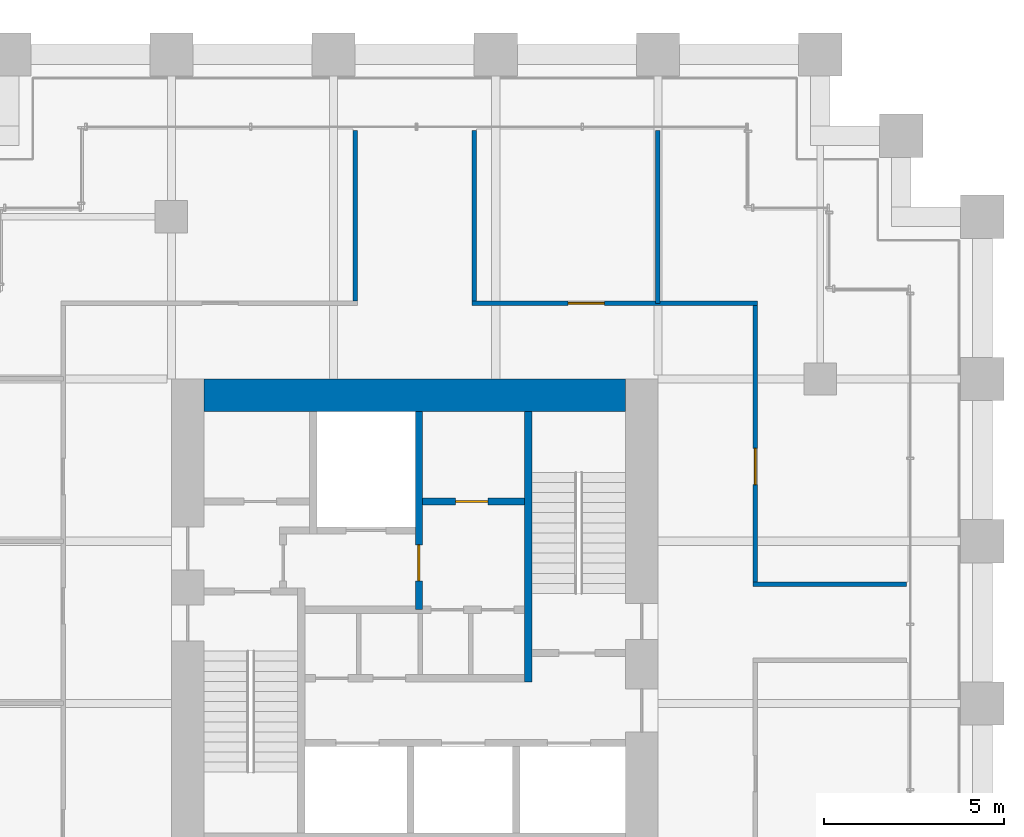
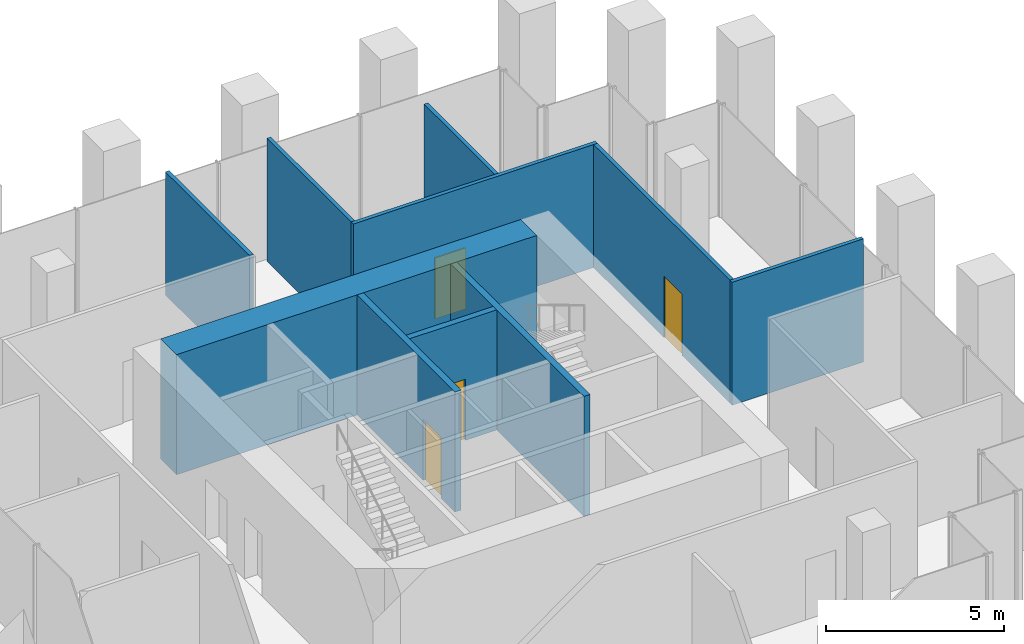
# One storey, part 33 of 36: 10 walls, 4 doors, 4 openings.
"""IFC4 building model written with IfcOpenShell, lengths in metres."""

from ifc_helpers import new_model, si_unit, direction, frame, frame_2d, origin, place, context, subcontext, project, spatial, rectangle, extrude, material, layer, layer_set, type_object, element, fill, save


model = new_model("IFC4")

# Units and contexts
model_context = context("Model", 3, precision=1e-05, world=origin(), true_north=direction((0.0, 1.0)))
body_context = subcontext(model_context, "Body", "Model", "MODEL_VIEW")
ifc_project = project(units=[si_unit("LENGTHUNIT", "METRE"), si_unit("AREAUNIT", "SQUARE_METRE"), si_unit("VOLUMEUNIT", "CUBIC_METRE"), si_unit("PLANEANGLEUNIT", "RADIAN"), si_unit("MASSUNIT", "GRAM", prefix="KILO")], contexts=[model_context])

# Site, building, storey
site_placement = place(None, origin())
site = spatial("IfcSite", under=ifc_project, at=site_placement, CompositionType="ELEMENT")
building_placement = place(site_placement, origin())
building = spatial("IfcBuilding", under=site, at=building_placement, Name="Altepetl Exchange Towers", CompositionType="ELEMENT")
storey_placement = place(building_placement, frame((0.0, 0.0, 34.199951171875)))
storey = spatial("IfcBuildingStorey", under=building, at=storey_placement, Name="L07", CompositionType="ELEMENT", Elevation=34.199951171875)

# Walls
ifc_material_1 = material(Name="Concrete C70/85", Category="concrete")
ifc_layer_1 = layer(ifc_material_1, 0.89990234375)
ifc_layer_set_1 = layer_set([ifc_layer_1], Name="Concrete C70/85")
wall_type_1 = type_object("IfcWallType", Name="Core wall 900 reinforced concrete", PredefinedType="SHEAR", material=ifc_layer_set_1)
wall_1_placement = place(storey_placement, frame((104.39990234375, 49.050048828125, 0.0)))
element("IfcWall", 1, at=wall_1_placement, inside=storey, type_object=wall_type_1, Name="wall:B:L07:K-coreN", PredefinedType="SHEAR", context=body_context, shape_type="SweptSolid", body=[
    extrude(rectangle(XDim=11.7001953125, YDim=0.89990234375, at=frame_2d((5.85009765625, 0.0))), origin(), (0.0, 0.0, 1.0), 4.125),
])
ifc_material_2 = material(Name="Gypsum board on steel studs", Category="steel")
ifc_layer_2 = layer(ifc_material_2, 0.125)
ifc_layer_set_2 = layer_set([ifc_layer_2], Name="Gypsum board on steel studs")
wall_type_2 = type_object("IfcWallType", Name="Partition 125 gypsum board on steel studs", PredefinedType="PARTITIONING", material=ifc_layer_set_2)
wall_2_placement = place(storey_placement, frame((119.637451171875, 43.800048828125, 0.0)))
element("IfcWall", 2, at=wall_2_placement, inside=storey, type_object=wall_type_2, Name="wall:B:L07:P05", PredefinedType="PARTITIONING", context=body_context, shape_type="SweptSolid", body=[
    extrude(rectangle(XDim=4.262451171875, YDim=0.125, at=frame_2d((2.13134765625, 0.0))), origin(), (0.0, 0.0, 1.0), 4.22509765625),
])

# Wall, opening, door
wall_3_placement = place(storey_placement, frame((111.83740234375, 51.60009765625, 0.0)))
wall_3 = element("IfcWall", 3, at=wall_3_placement, inside=storey, type_object=wall_type_2, Name="wall:B:L07:P09", PredefinedType="PARTITIONING", context=body_context, shape_type="SweptSolid", body=[
    extrude(rectangle(XDim=7.925048828125, YDim=0.125, at=frame_2d((3.96240234375, 0.0))), origin(), (0.0, 0.0, 1.0), 4.22509765625),
])
opening_1_placement = place(wall_3_placement, frame((2.672607421875, 0.0, 0.0)))
opening_1 = element("IfcOpeningElement", 4, at=opening_1_placement, cuts=wall_3, Name="Opening L07.B06", PredefinedType="OPENING", context=body_context, shape_type="SweptSolid", body=[
    extrude(rectangle(XDim=1.0, YDim=2.10009765625, at=frame_2d((0.5, 1.050048828125))), frame((0.0, 0.072509765625, 0.0), z_axis=(0.0, -1.0, 0.0), x_axis=(1.0, 0.0, 0.0)), (0.0, 0.0, 1.0), 0.14501953125),
])
ifc_material_3 = material(Name="Steel and timber fire door", Category="steel")
door_type_1 = type_object("IfcDoorType", Name="Fire door 1000 x 2100 single leaf", OperationType="SINGLE_SWING_LEFT", PredefinedType="DOOR", material=ifc_material_3)
door_1_placement = place(opening_1_placement, origin())
door_1 = element("IfcDoor", 5, at=door_1_placement, inside=storey, type_object=door_type_1, Name="door:B:L07:06", OperationType="SINGLE_SWING_LEFT", OverallHeight=2.10009765625, OverallWidth=1.0, PredefinedType="DOOR", context=body_context, shape_type="SweptSolid", body=[
    extrude(rectangle(XDim=1.0, YDim=2.10009765625, at=frame_2d((0.5, 1.050048828125))), frame((0.0, 0.02490234375, 0.0), z_axis=(0.0, -1.0, 0.0), x_axis=(1.0, 0.0, 0.0)), (0.0, 0.0, 1.0), 0.050048828125),
])
fill(opening_1, door_1)

# Walls
for number, where, z_axis, x_axis, name in (
    (6, (108.60009765625, 51.66259765625, 0.0), (0.0, 0.0, 1.0), (0.0, 1.0, 0.0), "wall:B:L07:P12"),
    (7, (111.89990234375, 51.66259765625, 0.0), (0.0, 0.0, 1.0), (0.0, 1.0, 0.0), "wall:B:L07:P13"),
):
    element("IfcWall", number, at=place(storey_placement, frame(where, z_axis=z_axis, x_axis=x_axis)), inside=storey, type_object=wall_type_2, Name=name, PredefinedType="PARTITIONING", context=body_context, shape_type="SweptSolid", body=[
        extrude(rectangle(XDim=4.7373046875, YDim=0.125, at=frame_2d((2.36865234375, 0.0))), origin(), (0.0, 0.0, 1.0), 4.22509765625),
    ])
wall_4_placement = place(storey_placement, frame((117.0, 51.60009765625, 0.0), z_axis=(0.0, 0.0, 1.0), x_axis=(0.0, 1.0, 0.0)))
element("IfcWall", 8, at=wall_4_placement, inside=storey, type_object=wall_type_2, Name="wall:B:L07:P15", PredefinedType="PARTITIONING", context=body_context, shape_type="SweptSolid", body=[
    extrude(rectangle(XDim=4.7998046875, YDim=0.125, at=frame_2d((2.39990234375, 0.0))), origin(), (0.0, 0.0, 1.0), 3.613037109375),
])

# Wall, opening, door
wall_5_placement = place(storey_placement, frame((119.699951171875, 43.862548828125, 0.0), z_axis=(0.0, 0.0, 1.0), x_axis=(0.0, 1.0, 0.0)))
wall_5 = element("IfcWall", 9, at=wall_5_placement, inside=storey, type_object=wall_type_2, Name="wall:B:L07:P17", PredefinedType="PARTITIONING", context=body_context, shape_type="SweptSolid", body=[
    extrude(rectangle(XDim=7.675048828125, YDim=0.125, at=frame_2d((3.83740234375, 0.0))), origin(), (0.0, 0.0, 1.0), 4.22509765625),
])
opening_2_placement = place(wall_5_placement, frame((2.70947265625, 0.0, 0.0)))
opening_2 = element("IfcOpeningElement", 10, at=opening_2_placement, cuts=wall_5, Name="Opening L07.B05", PredefinedType="OPENING", context=body_context, shape_type="SweptSolid", body=[
    extrude(rectangle(XDim=1.0, YDim=2.10009765625, at=frame_2d((0.5, 1.050048828125))), frame((0.0, 0.072509765625, 0.0), z_axis=(0.0, -1.0, 0.0), x_axis=(1.0, 0.0, 0.0)), (0.0, 0.0, 1.0), 0.14501953125),
])
door_2_placement = place(opening_2_placement, frame((1.0, 0.0, 0.0), x_axis=(-1.0, 0.0, 0.0)))
door_2 = element("IfcDoor", 11, at=door_2_placement, inside=storey, type_object=door_type_1, Name="door:B:L07:05", OperationType="SINGLE_SWING_LEFT", OverallHeight=2.10009765625, OverallWidth=1.0, PredefinedType="DOOR", context=body_context, shape_type="SweptSolid", body=[
    extrude(rectangle(XDim=1.0, YDim=2.10009765625, at=frame_2d((0.5, 1.050048828125))), frame((0.0, 0.02490234375, 0.0), z_axis=(0.0, -1.0, 0.0), x_axis=(1.0, 0.0, 0.0)), (0.0, 0.0, 1.0), 0.050048828125),
])
fill(opening_2, door_2)

ifc_material_4 = material(Name="Concrete C40/50", Category="concrete")
ifc_layer_3 = layer(ifc_material_4, 0.199951171875)
ifc_layer_set_3 = layer_set([ifc_layer_3], Name="Concrete C40/50")
wall_type_3 = type_object("IfcWallType", Name="Shaft wall 200 reinforced concrete", PredefinedType="SHEAR", material=ifc_layer_set_3)
wall_6_placement = place(storey_placement, frame((110.36669921875, 48.60009765625, 0.0), z_axis=(0.0, 0.0, 1.0), x_axis=(0.0, -1.0, 0.0)))
wall_6 = element("IfcWall", 12, at=wall_6_placement, inside=storey, type_object=wall_type_3, Name="wall:B:L07:K-divN2", PredefinedType="SHEAR", context=body_context, shape_type="SweptSolid", body=[
    extrude(rectangle(XDim=5.5, YDim=0.199951171875, at=frame_2d((2.75, 0.0))), origin(), (0.0, 0.0, 1.0), 4.125),
])
opening_3_placement = place(wall_6_placement, frame((3.699951171875, 0.0, 0.0)))
opening_3 = element("IfcOpeningElement", 13, at=opening_3_placement, cuts=wall_6, Name="Opening L07.B66", PredefinedType="OPENING", context=body_context, shape_type="SweptSolid", body=[
    extrude(rectangle(XDim=1.0, YDim=2.10009765625, at=frame_2d((0.5, 1.050048828125))), frame((0.0, 0.10986328125, 0.0), z_axis=(0.0, -1.0, 0.0), x_axis=(1.0, 0.0, 0.0)), (0.0, 0.0, 1.0), 0.219970703125),
])
door_type_2 = type_object("IfcDoorType", Name="Fire door 1000 x 2100 stair and lobby", OperationType="SINGLE_SWING_LEFT", PredefinedType="DOOR", material=ifc_material_3)
door_3_placement = place(opening_3_placement, frame((1.0, 0.0, 0.0), x_axis=(-1.0, 0.0, 0.0)))
door_3 = element("IfcDoor", 14, at=door_3_placement, inside=storey, type_object=door_type_2, Name="door:B:L07:K-dffE", OperationType="SINGLE_SWING_RIGHT", OverallHeight=2.10009765625, OverallWidth=1.0, PredefinedType="DOOR", context=body_context, shape_type="SweptSolid", body=[
    extrude(rectangle(XDim=1.0, YDim=2.10009765625, at=frame_2d((0.5, 1.050048828125))), frame((0.0, 0.02490234375, 0.0), z_axis=(0.0, -1.0, 0.0), x_axis=(1.0, 0.0, 0.0)), (0.0, 0.0, 1.0), 0.050048828125),
])
fill(opening_3, door_3)

wall_7_placement = place(storey_placement, frame((110.466796875, 46.10009765625, 0.0)))
wall_7 = element("IfcWall", 15, at=wall_7_placement, inside=storey, type_object=wall_type_3, Name="wall:B:L07:K-frontNb", PredefinedType="SHEAR", context=body_context, shape_type="SweptSolid", body=[
    extrude(rectangle(XDim=2.833251953125, YDim=0.199951171875, at=frame_2d((1.41650390625, 0.0))), origin(), (0.0, 0.0, 1.0), 4.125),
])
opening_4_placement = place(wall_7_placement, frame((0.91650390625, 0.0, 0.0)))
opening_4 = element("IfcOpeningElement", 16, at=opening_4_placement, cuts=wall_7, Name="Opening L07.B69", PredefinedType="OPENING", context=body_context, shape_type="SweptSolid", body=[
    extrude(rectangle(XDim=0.89990234375, YDim=2.10009765625, at=frame_2d((0.449951171875, 1.050048828125))), frame((0.0, 0.10986328125, 0.0), z_axis=(0.0, -1.0, 0.0), x_axis=(1.0, 0.0, 0.0)), (0.0, 0.0, 1.0), 0.219970703125),
])
door_type_3 = type_object("IfcDoorType", Name="Fire door 900 x 2100 service room", OperationType="SINGLE_SWING_LEFT", PredefinedType="DOOR", material=ifc_material_3)
door_4_placement = place(opening_4_placement, origin())
door_4 = element("IfcDoor", 17, at=door_4_placement, inside=storey, type_object=door_type_3, Name="door:B:L07:K-dslotN2", OperationType="SINGLE_SWING_RIGHT", OverallHeight=2.10009765625, OverallWidth=0.89990234375, PredefinedType="DOOR", context=body_context, shape_type="SweptSolid", body=[
    extrude(rectangle(XDim=0.89990234375, YDim=2.10009765625, at=frame_2d((0.449951171875, 1.050048828125))), frame((0.0, 0.02490234375, 0.0), z_axis=(0.0, -1.0, 0.0), x_axis=(1.0, 0.0, 0.0)), (0.0, 0.0, 1.0), 0.050048828125),
])
fill(opening_4, door_4)

# Wall
ifc_layer_4 = layer(ifc_material_4, 0.199951171875)
ifc_layer_set_4 = layer_set([ifc_layer_4], Name="Concrete C40/50")
wall_type_4 = type_object("IfcWallType", Name="Stair wall 200 reinforced concrete", PredefinedType="SHEAR", material=ifc_layer_set_4)
wall_8_placement = place(storey_placement, frame((113.39990234375, 41.10009765625, 0.0), z_axis=(0.0, 0.0, 1.0), x_axis=(0.0, 1.0, 0.0)))
element("IfcWall", 18, at=wall_8_placement, inside=storey, type_object=wall_type_4, Name="wall:B:L07:K-stS2W", PredefinedType="SHEAR", context=body_context, shape_type="SweptSolid", body=[
    extrude(rectangle(XDim=7.5, YDim=0.199951171875, at=frame_2d((3.75, 0.0))), origin(), (0.0, 0.0, 1.0), 4.125),
])

save(model, "model.ifc")
